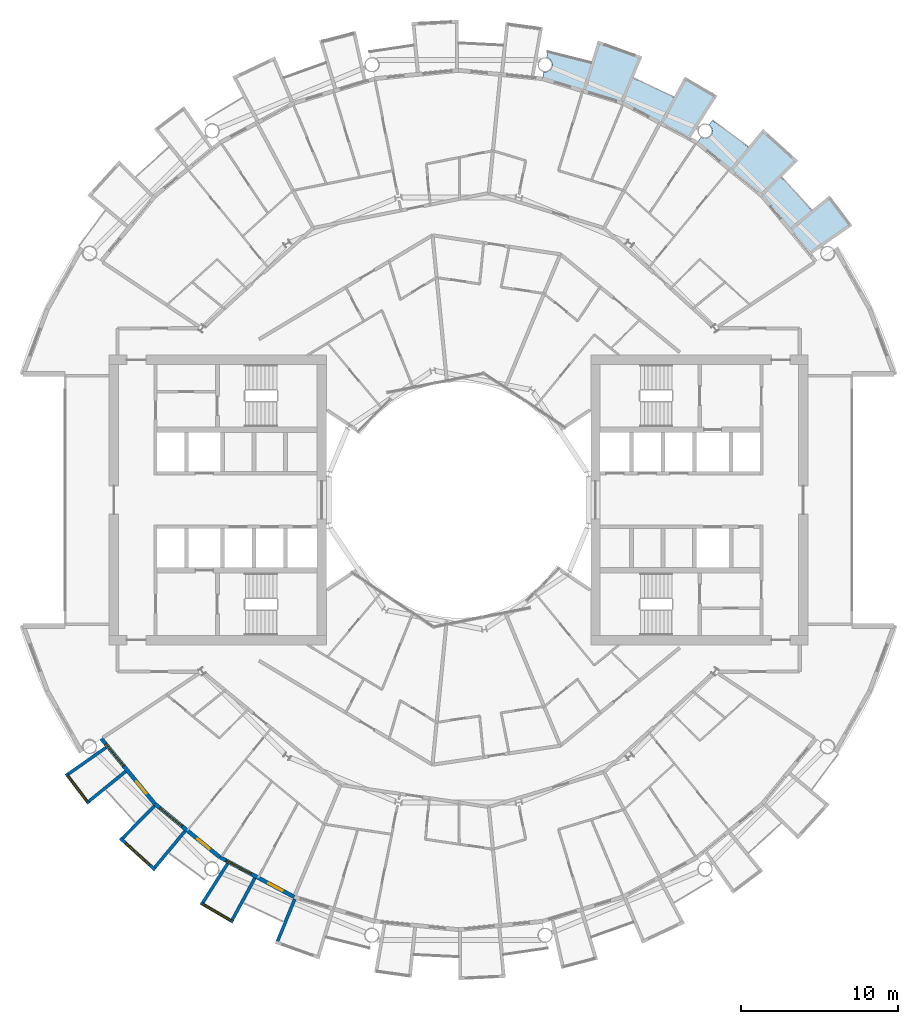
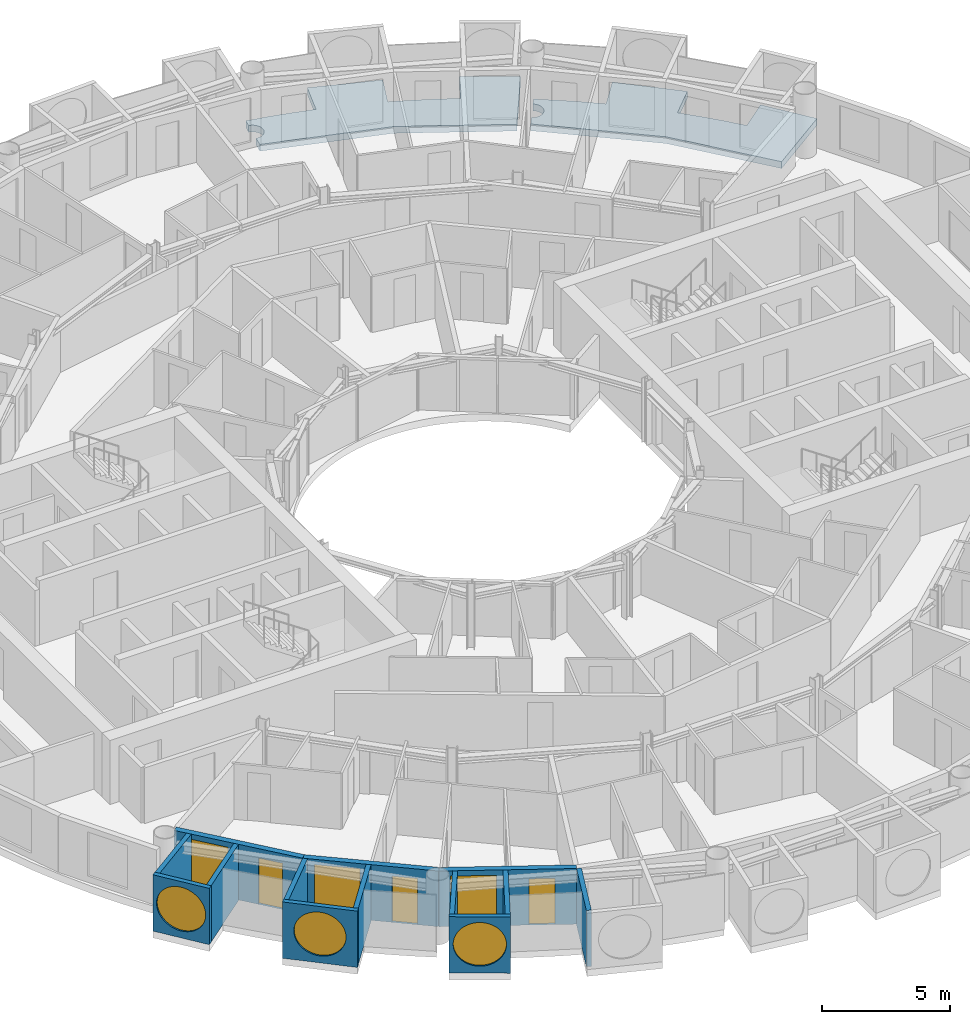
# One storey, part 13 of 27: 13 walls, 6 windows, 3 doors, 2 slabs, 9 openings.
"""IFC4 building model written with IfcOpenShell, lengths in metres."""

from ifc_helpers import new_model, si_unit, direction, frame, frame_2d, origin, place, context, subcontext, project, spatial, polyline, rectangle, circle, outline, extrude, material, layer, layer_set, type_object, element, fill, save


model = new_model("IFC4")

# Units and contexts
model_context = context("Model", 3, precision=1e-05, world=origin(), true_north=direction((0.0, 1.0)))
body_context = subcontext(model_context, "Body", "Model", "MODEL_VIEW")
ifc_project = project(units=[si_unit("LENGTHUNIT", "METRE"), si_unit("AREAUNIT", "SQUARE_METRE"), si_unit("VOLUMEUNIT", "CUBIC_METRE"), si_unit("PLANEANGLEUNIT", "RADIAN"), si_unit("MASSUNIT", "GRAM", prefix="KILO")], contexts=[model_context])

# Site, building, storey
site_placement = place(None, origin())
site = spatial("IfcSite", under=ifc_project, at=site_placement, CompositionType="ELEMENT")
building_placement = place(site_placement, origin())
building = spatial("IfcBuilding", under=site, at=building_placement, Name="Maasbend Ring Residences", CompositionType="ELEMENT")
storey_placement = place(building_placement, frame((0.0, 0.0, 136.050048828125)))
storey = spatial("IfcBuildingStorey", under=building, at=storey_placement, Name="L39", CompositionType="ELEMENT", Elevation=136.050048828125)

# Slabs
ifc_material_1 = material(Name="Concrete C40/50", Category="concrete")
ifc_layer_1 = layer(ifc_material_1, 0.199951171875)
ifc_layer_set_1 = layer_set([ifc_layer_1], Name="Concrete C40/50")
slab_type = type_object("IfcSlabType", Name="SL-LOGGIA", PredefinedType="FLOOR", material=ifc_layer_set_1)
slab_1_placement = place(storey_placement, frame((0.0, 0.0, -0.35009765625)))
element("IfcSlab", 1, at=slab_1_placement, inside=storey, type_object=slab_type, Name="Loggia floor 2", PredefinedType="FLOOR", context=body_context, shape_type="SweptSolid", body=[
    extrude(outline(polyline([(5.446044921875, 27.205078125), (5.45703125, 27.202880859375), (5.468017578125, 27.201904296875), (5.47900390625, 27.201904296875), (5.489990234375, 27.200927734375), (5.501953125, 27.200927734375), (5.512939453125, 27.200927734375), (5.52392578125, 27.201904296875), (5.534912109375, 27.201904296875), (5.5458984375, 27.202880859375), (5.556884765625, 27.205078125), (5.569091796875, 27.2060546875), (5.580078125, 27.2080078125), (5.591064453125, 27.2099609375), (5.60205078125, 27.2119140625), (5.613037109375, 27.215087890625), (5.623046875, 27.218017578125), (5.634033203125, 27.220947265625), (5.64501953125, 27.22412109375), (5.655029296875, 27.22802734375), (5.666015625, 27.23193359375), (5.676025390625, 27.236083984375), (5.68701171875, 27.239990234375), (5.697021484375, 27.2451171875), (5.70703125, 27.25), (5.717041015625, 27.2548828125), (5.72705078125, 27.260009765625), (5.736083984375, 27.26611328125), (5.74609375, 27.27197265625), (5.7548828125, 27.278076171875), (5.764892578125, 27.283935546875), (5.77392578125, 27.291015625), (5.782958984375, 27.298095703125), (5.791015625, 27.304931640625), (5.800048828125, 27.31201171875), (5.80810546875, 27.319091796875), (5.81689453125, 27.326904296875), (5.824951171875, 27.3349609375), (5.83203125, 27.343017578125), (5.840087890625, 27.35107421875), (5.847900390625, 27.360107421875), (5.85498046875, 27.367919921875), (5.862060546875, 27.376953125), (5.868896484375, 27.385986328125), (5.875, 27.39501953125), (5.881103515625, 27.404052734375), (5.887939453125, 27.4140625), (5.89306640625, 27.423095703125), (5.89892578125, 27.43310546875), (5.905029296875, 27.443115234375), (5.909912109375, 27.452880859375), (5.9150390625, 27.462890625), (5.9189453125, 27.472900390625), (5.924072265625, 27.48291015625), (5.927978515625, 27.493896484375), (5.931884765625, 27.50390625), (5.93505859375, 27.514892578125), (5.93896484375, 27.52490234375), (5.94189453125, 27.535888671875), (5.945068359375, 27.547119140625), (5.947021484375, 27.55810546875), (5.949951171875, 27.569091796875), (5.951904296875, 27.580078125), (5.9541015625, 27.591064453125), (5.955078125, 27.60205078125), (5.9560546875, 27.613037109375), (5.95703125, 27.6240234375), (5.9580078125, 27.635986328125), (5.9580078125, 27.64697265625), (5.9580078125, 27.657958984375), (5.9580078125, 27.6689453125), (5.9580078125, 27.680908203125), (5.95703125, 27.69189453125), (5.9560546875, 27.702880859375), (5.955078125, 27.714111328125), (5.9541015625, 27.72509765625), (5.951904296875, 27.736083984375), (5.949951171875, 27.7470703125), (5.947021484375, 27.758056640625), (5.945068359375, 27.76904296875), (5.94189453125, 27.780029296875), (5.93896484375, 27.791015625), (5.93505859375, 27.801025390625), (5.931884765625, 27.81201171875), (5.927978515625, 27.822998046875), (5.924072265625, 27.8330078125), (5.9189453125, 27.843017578125), (5.9150390625, 27.85302734375), (5.909912109375, 27.864013671875), (5.905029296875, 27.8740234375), (5.89892578125, 27.883056640625), (5.89306640625, 27.89306640625), (5.887939453125, 27.903076171875), (5.881103515625, 27.912109375), (5.875, 27.9208984375), (5.868896484375, 27.929931640625), (5.862060546875, 27.93896484375), (5.85498046875, 27.947998046875), (5.847900390625, 27.95703125), (5.840087890625, 27.965087890625), (5.83203125, 27.972900390625), (5.824951171875, 27.98095703125), (5.81689453125, 27.989013671875), (5.80810546875, 27.9970703125), (5.800048828125, 28.00390625), (5.791015625, 28.010986328125), (5.782958984375, 28.01806640625), (5.77392578125, 28.02490234375), (5.764892578125, 28.031982421875), (5.7548828125, 28.0380859375), (5.74609375, 28.0439453125), (5.736083984375, 28.050048828125), (5.72705078125, 28.055908203125), (5.717041015625, 28.06103515625), (5.70703125, 28.06591796875), (5.697021484375, 28.071044921875), (5.68701171875, 28.075927734375), (5.676025390625, 28.080078125), (5.666015625, 28.083984375), (5.655029296875, 28.087890625), (5.64501953125, 28.092041015625), (5.634033203125, 28.094970703125), (5.623046875, 28.09912109375), (5.613037109375, 28.10107421875), (5.60205078125, 28.10400390625), (5.591064453125, 28.10595703125), (5.657958984375, 28.443115234375), (5.657958984375, 28.443115234375), (5.657958984375, 28.443115234375), (6.5849609375, 28.241943359375), (6.5849609375, 28.241943359375), (7.506103515625, 28.011962890625), (7.506103515625, 28.011962890625), (8.41796875, 27.7509765625), (8.41796875, 27.7509765625), (8.41796875, 27.7509765625), (8.41796875, 27.7509765625), (8.41796875, 27.7509765625), (8.41796875, 27.7509765625), (8.41796875, 27.7509765625), (8.41796875, 27.7509765625), (8.41796875, 27.7509765625), (8.41796875, 27.7509765625), (8.41796875, 27.751953125), (8.41796875, 27.751953125), (8.41796875, 27.751953125), (8.41796875, 27.751953125), (8.41796875, 27.751953125), (8.41796875, 27.751953125), (8.41796875, 27.751953125), (8.85400390625, 29.18701171875), (8.85400390625, 29.18701171875), (8.85400390625, 29.18701171875), (11.672119140625, 28.177978515625), (11.672119140625, 28.177978515625), (11.672119140625, 28.177978515625), (11.097900390625, 26.79296875), (11.097900390625, 26.79296875), (11.097900390625, 26.79296875), (11.097900390625, 26.79296875), (11.097900390625, 26.79296875), (11.097900390625, 26.79296875), (11.097900390625, 26.79296875), (11.097900390625, 26.79296875), (11.097900390625, 26.79296875), (11.097900390625, 26.79296875), (11.097900390625, 26.7919921875), (11.097900390625, 26.7919921875), (11.097900390625, 26.7919921875), (11.097900390625, 26.7919921875), (11.097900390625, 26.7919921875), (11.097900390625, 26.7919921875), (11.097900390625, 26.7919921875), (11.968994140625, 26.4150390625), (11.968994140625, 26.4150390625), (12.825927734375, 26.009033203125), (12.825927734375, 26.009033203125), (13.669921875, 25.575927734375), (13.669921875, 25.575927734375), (13.669921875, 25.575927734375), (13.669921875, 25.575927734375), (13.669921875, 25.575927734375), (13.669921875, 25.575927734375), (13.669921875, 25.575927734375), (13.669921875, 25.575927734375), (13.669921875, 25.575927734375), (13.669921875, 25.575927734375), (13.6708984375, 25.575927734375), (13.6708984375, 25.575927734375), (13.6708984375, 25.575927734375), (13.6708984375, 25.575927734375), (13.6708984375, 25.575927734375), (13.6708984375, 25.575927734375), (13.6708984375, 25.575927734375), (14.3779296875, 26.89892578125), (14.3779296875, 26.89892578125), (14.3779296875, 26.89892578125), (16.44091796875, 25.68994140625), (16.44091796875, 25.68994140625), (16.44091796875, 25.68994140625), (14.68994140625, 22.9541015625), (14.68994140625, 22.9541015625), (14.68994140625, 22.9541015625), (12.806884765625, 23.9609375), (10.447021484375, 25.221923828125), (10.447021484375, 25.221923828125), (10.447021484375, 25.221923828125), (7.886962890625, 25.9990234375), (5.325927734375, 26.77490234375), (5.325927734375, 26.77490234375), (5.325927734375, 26.77490234375), (5.412109375, 27.2099609375), (5.423095703125, 27.2080078125), (5.43408203125, 27.2060546875), (5.446044921875, 27.205078125)])), origin(), (0.0, 0.0, 1.0), 0.320068359375),
])
slab_2_placement = place(storey_placement, frame((0.0, 0.0, -0.35009765625)))
element("IfcSlab", 2, at=slab_2_placement, inside=storey, type_object=slab_type, Name="Loggia floor 5", PredefinedType="FLOOR", context=body_context, shape_type="SweptSolid", body=[
    extrude(outline(polyline([(15.431884765625, 23.054931640625), (15.44189453125, 23.050048828125), (15.451904296875, 23.0439453125), (15.4619140625, 23.0390625), (15.471923828125, 23.033935546875), (15.48193359375, 23.030029296875), (15.491943359375, 23.02490234375), (15.5029296875, 23.02099609375), (15.512939453125, 23.01708984375), (15.52392578125, 23.012939453125), (15.533935546875, 23.010009765625), (15.544921875, 23.007080078125), (15.555908203125, 23.00390625), (15.56689453125, 23.001953125), (15.577880859375, 22.9990234375), (15.589111328125, 22.9970703125), (15.60009765625, 22.9951171875), (15.611083984375, 22.993896484375), (15.6220703125, 22.992919921875), (15.633056640625, 22.991943359375), (15.64501953125, 22.990966796875), (15.656005859375, 22.990966796875), (15.6669921875, 22.989990234375), (15.677978515625, 22.990966796875), (15.68994140625, 22.990966796875), (15.700927734375, 22.991943359375), (15.7119140625, 22.992919921875), (15.722900390625, 22.993896484375), (15.73388671875, 22.9951171875), (15.7451171875, 22.9970703125), (15.756103515625, 22.9990234375), (15.76708984375, 23.001953125), (15.778076171875, 23.00390625), (15.7890625, 23.007080078125), (15.800048828125, 23.010009765625), (15.81005859375, 23.012939453125), (15.821044921875, 23.01708984375), (15.83203125, 23.02099609375), (15.842041015625, 23.02490234375), (15.85205078125, 23.030029296875), (15.862060546875, 23.033935546875), (15.873046875, 23.0390625), (15.883056640625, 23.0439453125), (15.89208984375, 23.050048828125), (15.902099609375, 23.054931640625), (15.912109375, 23.06103515625), (15.9208984375, 23.06689453125), (15.929931640625, 23.073974609375), (15.93896484375, 23.080078125), (15.947998046875, 23.0869140625), (15.95703125, 23.093994140625), (15.966064453125, 23.10107421875), (15.97412109375, 23.10888671875), (15.98193359375, 23.115966796875), (15.989990234375, 23.1240234375), (15.998046875, 23.132080078125), (16.006103515625, 23.139892578125), (16.012939453125, 23.14892578125), (16.02001953125, 23.156982421875), (16.027099609375, 23.166015625), (16.033935546875, 23.175048828125), (16.041015625, 23.18408203125), (16.047119140625, 23.194091796875), (16.052978515625, 23.202880859375), (16.05908203125, 23.2119140625), (16.06494140625, 23.221923828125), (16.070068359375, 23.23193359375), (16.074951171875, 23.241943359375), (16.080078125, 23.251953125), (16.0849609375, 23.261962890625), (16.089111328125, 23.27294921875), (16.093017578125, 23.282958984375), (16.096923828125, 23.29296875), (16.10107421875, 23.303955078125), (16.10400390625, 23.31494140625), (16.10791015625, 23.325927734375), (16.110107421875, 23.3359375), (16.113037109375, 23.346923828125), (16.114990234375, 23.35791015625), (16.116943359375, 23.368896484375), (16.118896484375, 23.3798828125), (16.12109375, 23.39111328125), (16.1220703125, 23.403076171875), (16.123046875, 23.4140625), (16.1240234375, 23.425048828125), (16.1240234375, 23.43603515625), (16.1240234375, 23.447021484375), (16.1240234375, 23.458984375), (16.1240234375, 23.469970703125), (16.123046875, 23.48095703125), (16.1220703125, 23.491943359375), (16.12109375, 23.5029296875), (16.118896484375, 23.513916015625), (16.116943359375, 23.52587890625), (16.114990234375, 23.537109375), (16.113037109375, 23.548095703125), (16.110107421875, 23.55810546875), (16.10791015625, 23.569091796875), (16.10400390625, 23.580078125), (16.10107421875, 23.591064453125), (16.096923828125, 23.60107421875), (16.093017578125, 23.612060546875), (16.089111328125, 23.6220703125), (16.0849609375, 23.633056640625), (16.080078125, 23.64306640625), (16.074951171875, 23.653076171875), (16.070068359375, 23.6630859375), (16.06494140625, 23.673095703125), (16.05908203125, 23.681884765625), (16.052978515625, 23.69189453125), (16.047119140625, 23.700927734375), (16.041015625, 23.7109375), (16.033935546875, 23.719970703125), (16.027099609375, 23.72900390625), (16.02001953125, 23.737060546875), (16.012939453125, 23.74609375), (16.006103515625, 23.75390625), (15.998046875, 23.762939453125), (15.989990234375, 23.77099609375), (15.98193359375, 23.778076171875), (15.97412109375, 23.785888671875), (15.966064453125, 23.79296875), (15.95703125, 23.801025390625), (15.947998046875, 23.80810546875), (15.93896484375, 23.81396484375), (15.929931640625, 23.821044921875), (15.9208984375, 23.826904296875), (15.9208984375, 23.826904296875), (16.112060546875, 24.113037109375), (16.112060546875, 24.113037109375), (16.112060546875, 24.113037109375), (16.89208984375, 23.572998046875), (16.89208984375, 23.572998046875), (17.654052734375, 23.007080078125), (17.654052734375, 23.007080078125), (18.39697265625, 22.41796875), (18.39697265625, 22.41796875), (18.39697265625, 22.41796875), (18.39697265625, 22.41796875), (18.39697265625, 22.41796875), (18.39697265625, 22.41796875), (18.39697265625, 22.41796875), (18.39697265625, 22.41796875), (18.39697265625, 22.41796875), (18.39697265625, 22.41796875), (18.39697265625, 22.41796875), (18.39794921875, 22.41796875), (18.39794921875, 22.41796875), (18.39794921875, 22.41796875), (18.39794921875, 22.41796875), (18.39794921875, 22.41796875), (18.39794921875, 22.41796875), (19.34912109375, 23.576904296875), (19.34912109375, 23.576904296875), (19.34912109375, 23.576904296875), (21.56689453125, 21.56689453125), (21.56689453125, 21.56689453125), (21.56689453125, 21.56689453125), (20.506103515625, 20.506103515625), (20.506103515625, 20.506103515625), (20.506103515625, 20.506103515625), (20.506103515625, 20.506103515625), (20.506103515625, 20.506103515625), (20.506103515625, 20.506103515625), (20.506103515625, 20.506103515625), (20.506103515625, 20.506103515625), (20.506103515625, 20.506103515625), (20.506103515625, 20.506103515625), (20.506103515625, 20.506103515625), (20.506103515625, 20.506103515625), (20.506103515625, 20.506103515625), (20.506103515625, 20.506103515625), (20.506103515625, 20.506103515625), (20.506103515625, 20.506103515625), (20.506103515625, 20.506103515625), (21.166015625, 19.823974609375), (21.166015625, 19.823974609375), (21.802978515625, 19.12109375), (21.802978515625, 19.12109375), (22.4169921875, 18.39794921875), (22.4169921875, 18.39794921875), (22.4169921875, 18.39794921875), (22.4169921875, 18.39794921875), (22.4169921875, 18.39794921875), (22.4169921875, 18.39794921875), (22.4169921875, 18.39794921875), (22.4169921875, 18.39794921875), (22.4169921875, 18.39794921875), (22.4169921875, 18.39794921875), (22.4169921875, 18.39794921875), (22.4169921875, 18.39794921875), (22.41796875, 18.39794921875), (22.41796875, 18.39794921875), (22.41796875, 18.39794921875), (22.41796875, 18.39794921875), (22.41796875, 18.39794921875), (23.576904296875, 19.34912109375), (23.576904296875, 19.34912109375), (23.576904296875, 19.34912109375), (25.02001953125, 17.44189453125), (25.02001953125, 17.44189453125), (25.02001953125, 17.44189453125), (22.35595703125, 15.5849609375), (22.35595703125, 15.5849609375), (22.35595703125, 15.5849609375), (21.001953125, 17.236083984375), (19.303955078125, 19.303955078125), (19.303955078125, 19.303955078125), (19.303955078125, 19.303955078125), (17.236083984375, 21.001953125), (15.1669921875, 22.698974609375), (15.1669921875, 22.698974609375), (15.1669921875, 22.698974609375), (15.4130859375, 23.06689453125), (15.4130859375, 23.06689453125), (15.423095703125, 23.06103515625), (15.431884765625, 23.054931640625)])), origin(), (0.0, 0.0, 1.0), 0.320068359375),
])

# Wall, opening, window
ifc_material_2 = material(Name="Pale anodised aluminium panel", Category="aluminium")
ifc_layer_2 = layer(ifc_material_2, 0.199951171875)
ifc_layer_set_2 = layer_set([ifc_layer_2], Name="EW-BOX")
wall_type_1 = type_object("IfcWallType", Name="EW-BOX", PredefinedType="SOLIDWALL", material=ifc_layer_set_2)
wall_1_placement = place(storey_placement, frame((-24.93994140625, -17.382080078125, -0.030029296875), z_axis=(0.0, 0.0, 1.0), x_axis=(0.603375996329, -0.797456837111, 0.0)))
wall_1 = element("IfcWall", 3, at=wall_1_placement, inside=storey, type_object=wall_type_1, Name="Box front S01", PredefinedType="SOLIDWALL", context=body_context, shape_type="SweptSolid", body=[
    extrude(rectangle(XDim=2.391357421875, YDim=0.199951171875, at=frame_2d((1.19580078125, 0.0))), origin(), (0.0, 0.0, 1.0), 2.679931640625),
])
opening_1_placement = place(wall_1_placement, frame((0.15576171875, 0.0, 0.330078125)))
opening_1 = element("IfcOpeningElement", 4, at=opening_1_placement, cuts=wall_1, Name="Opening W-RD", PredefinedType="OPENING", context=body_context, shape_type="SweptSolid", body=[
    extrude(circle(Radius=1.0400390625, at=frame_2d((1.0400390625, 1.0400390625))), frame((0.0, 0.10986328125, 0.0), z_axis=(0.0, -1.0, 0.0), x_axis=(1.0, 0.0, 0.0)), (0.0, 0.0, 1.0), 0.219970703125),
])
ifc_material_3 = material(Name="Aluminium and clear glass", Category="aluminium")
window_type_1 = type_object("IfcWindowType", Name="W-RD", PartitioningType="SINGLE_PANEL", PredefinedType="WINDOW", material=ifc_material_3)
window_1_placement = place(opening_1_placement, origin())
window_1 = element("IfcWindow", 5, at=window_1_placement, inside=storey, type_object=window_type_1, Name="Round window S01", OverallHeight=2.080078125, OverallWidth=2.080078125, PartitioningType="SINGLE_PANEL", PredefinedType="WINDOW", context=body_context, shape_type="SweptSolid", body=[
    extrude(circle(Radius=1.0400390625, at=frame_2d((1.0400390625, 1.0400390625))), frame((0.0, 0.030029296875, 0.0), z_axis=(0.0, -1.0, 0.0), x_axis=(1.0, 0.0, 0.0)), (0.0, 0.0, 1.0), 0.06005859375),
])
fill(opening_1, window_1)

# Walls
wall_2_placement = place(storey_placement, frame((-22.402099609375, -15.72607421875, -0.030029296875), z_axis=(0.0, 0.0, 1.0), x_axis=(-0.818275399393, -0.574826383135, 0.0)))
element("IfcWall", 6, at=wall_2_placement, inside=storey, type_object=wall_type_1, Name="Box side wall S01 left", PredefinedType="SOLIDWALL", context=body_context, shape_type="SweptSolid", body=[
    extrude(rectangle(XDim=2.92919921875, YDim=0.199951171875, at=frame_2d((1.464599609375, 0.0))), origin(), (0.0, 0.0, 1.0), 2.679931640625),
])
wall_3_placement = place(storey_placement, frame((-21.155029296875, -17.24609375, -0.030029296875), z_axis=(0.0, 0.0, 1.0), x_axis=(-0.775179004516, -0.631741648902, 0.0)))
element("IfcWall", 7, at=wall_3_placement, inside=storey, type_object=wall_type_1, Name="Box side wall S01 right", PredefinedType="SOLIDWALL", context=body_context, shape_type="SweptSolid", body=[
    extrude(rectangle(XDim=3.005859375, YDim=0.199951171875, at=frame_2d((1.5029296875, 0.0))), origin(), (0.0, 0.0, 1.0), 2.679931640625),
])

# Wall, opening, window
wall_4_placement = place(storey_placement, frame((-21.5, -21.492919921875, -0.030029296875), z_axis=(0.0, 0.0, 1.0), x_axis=(0.740998365753, -0.671506829416, 0.0)))
wall_4 = element("IfcWall", 8, at=wall_4_placement, inside=storey, type_object=wall_type_1, Name="Box front S03", PredefinedType="SOLIDWALL", context=body_context, shape_type="SweptSolid", body=[
    extrude(rectangle(XDim=2.9931640625, YDim=0.199951171875, at=frame_2d((1.49658203125, 0.0))), origin(), (0.0, 0.0, 1.0), 2.679931640625),
])
opening_2_placement = place(wall_4_placement, frame((0.45654296875, 0.0, 0.330078125)))
opening_2 = element("IfcOpeningElement", 9, at=opening_2_placement, cuts=wall_4, Name="Opening W-RD", PredefinedType="OPENING", context=body_context, shape_type="SweptSolid", body=[
    extrude(circle(Radius=1.0400390625, at=frame_2d((1.0400390625, 1.0400390625))), frame((0.0, 0.10986328125, 0.0), z_axis=(0.0, -1.0, 0.0), x_axis=(1.0, 0.0, 0.0)), (0.0, 0.0, 1.0), 0.219970703125),
])
window_2_placement = place(opening_2_placement, origin())
window_2 = element("IfcWindow", 10, at=window_2_placement, inside=storey, type_object=window_type_1, Name="Round window S03", OverallHeight=2.080078125, OverallWidth=2.080078125, PartitioningType="SINGLE_PANEL", PredefinedType="WINDOW", context=body_context, shape_type="SweptSolid", body=[
    extrude(circle(Radius=1.0400390625, at=frame_2d((1.0400390625, 1.0400390625))), frame((0.0, 0.030029296875, 0.0), z_axis=(0.0, -1.0, 0.0), x_axis=(1.0, 0.0, 0.0)), (0.0, 0.0, 1.0), 0.06005859375),
])
fill(opening_2, window_2)

# Walls
wall_5_placement = place(storey_placement, frame((-19.322998046875, -19.449951171875, -0.030029296875), z_axis=(0.0, 0.0, 1.0), x_axis=(-0.704476739375, -0.709727076896, 0.0)))
element("IfcWall", 11, at=wall_5_placement, inside=storey, type_object=wall_type_1, Name="Box side wall S03 left", PredefinedType="SOLIDWALL", context=body_context, shape_type="SweptSolid", body=[
    extrude(rectangle(XDim=2.883056640625, YDim=0.199951171875, at=frame_2d((1.44140625, 0.0))), origin(), (0.0, 0.0, 1.0), 2.679931640625),
])
wall_6_placement = place(storey_placement, frame((-17.384033203125, -21.041015625, -0.030029296875), z_axis=(0.0, 0.0, 1.0), x_axis=(-0.63709551667, -0.770784861449, 0.0)))
element("IfcWall", 12, at=wall_6_placement, inside=storey, type_object=wall_type_1, Name="Box side wall S03 right", PredefinedType="SOLIDWALL", context=body_context, shape_type="SweptSolid", body=[
    extrude(rectangle(XDim=3.005859375, YDim=0.199951171875, at=frame_2d((1.5029296875, 0.0))), origin(), (0.0, 0.0, 1.0), 2.679931640625),
])

# Wall, opening, window
wall_7_placement = place(storey_placement, frame((-16.389892578125, -25.60302734375, -0.030029296875), z_axis=(0.0, 0.0, 1.0), x_axis=(0.862762477128, -0.505609442218, 0.0)))
wall_7 = element("IfcWall", 13, at=wall_7_placement, inside=storey, type_object=wall_type_1, Name="Box front S05", PredefinedType="SOLIDWALL", context=body_context, shape_type="SweptSolid", body=[
    extrude(rectangle(XDim=2.39111328125, YDim=0.199951171875, at=frame_2d((1.195556640625, 0.0))), origin(), (0.0, 0.0, 1.0), 2.679931640625),
])
opening_3_placement = place(wall_7_placement, frame((0.15576171875, 0.0, 0.330078125)))
opening_3 = element("IfcOpeningElement", 14, at=opening_3_placement, cuts=wall_7, Name="Opening W-RD", PredefinedType="OPENING", context=body_context, shape_type="SweptSolid", body=[
    extrude(circle(Radius=1.0400390625, at=frame_2d((1.0400390625, 1.0400390625))), frame((0.0, 0.10986328125, 0.0), z_axis=(0.0, -1.0, 0.0), x_axis=(1.0, 0.0, 0.0)), (0.0, 0.0, 1.0), 0.219970703125),
])
window_3_placement = place(opening_3_placement, origin())
window_3 = element("IfcWindow", 15, at=window_3_placement, inside=storey, type_object=window_type_1, Name="Round window S05", OverallHeight=2.080078125, OverallWidth=2.080078125, PartitioningType="SINGLE_PANEL", PredefinedType="WINDOW", context=body_context, shape_type="SweptSolid", body=[
    extrude(circle(Radius=1.0400390625, at=frame_2d((1.0400390625, 1.0400390625))), frame((0.0, 0.030029296875, 0.0), z_axis=(0.0, -1.0, 0.0), x_axis=(1.0, 0.0, 0.0)), (0.0, 0.0, 1.0), 0.06005859375),
])
fill(opening_3, window_3)

# Walls
wall_8_placement = place(storey_placement, frame((-14.677978515625, -23.10205078125, -0.030029296875), z_axis=(0.0, 0.0, 1.0), x_axis=(-0.536001536573, -0.844217005746, 0.0)))
element("IfcWall", 16, at=wall_8_placement, inside=storey, type_object=wall_type_1, Name="Box side wall S05 left", PredefinedType="SOLIDWALL", context=body_context, shape_type="SweptSolid", body=[
    extrude(rectangle(XDim=2.92919921875, YDim=0.199951171875, at=frame_2d((1.464599609375, 0.0))), origin(), (0.0, 0.0, 1.0), 2.679931640625),
])
wall_9_placement = place(storey_placement, frame((-12.945068359375, -24.029052734375, -0.030029296875), z_axis=(0.0, 0.0, 1.0), x_axis=(-0.474424310775, -0.88029629861, 0.0)))
element("IfcWall", 17, at=wall_9_placement, inside=storey, type_object=wall_type_1, Name="Box side wall S05 right", PredefinedType="SOLIDWALL", context=body_context, shape_type="SweptSolid", body=[
    extrude(rectangle(XDim=3.005859375, YDim=0.199951171875, at=frame_2d((1.5029296875, 0.0))), origin(), (0.0, 0.0, 1.0), 2.679931640625),
])
wall_10_placement = place(storey_placement, frame((-10.408935546875, -25.364013671875, -0.030029296875), z_axis=(0.0, 0.0, 1.0), x_axis=(-0.379509886562, -0.925187681501, 0.0)))
element("IfcWall", 18, at=wall_10_placement, inside=storey, type_object=wall_type_1, Name="Box side wall S07 left", PredefinedType="SOLIDWALL", context=body_context, shape_type="SweptSolid", body=[
    extrude(rectangle(XDim=2.882568359375, YDim=0.199951171875, at=frame_2d((1.44140625, 0.0))), origin(), (0.0, 0.0, 1.0), 2.679931640625),
])

# Wall, openings, door, window
ifc_material_4 = material(Name="Aluminium clad insulated panel", Category="aluminium")
ifc_layer_3 = layer(ifc_material_4, 0.25)
ifc_layer_set_3 = layer_set([ifc_layer_3], Name="EW-GL")
wall_type_2 = type_object("IfcWallType", Name="EW-GL", PredefinedType="SOLIDWALL", material=ifc_layer_set_3)
wall_11_placement = place(storey_placement, frame((-22.698974609375, -15.1669921875, 0.0), z_axis=(0.0, 0.0, 1.0), x_axis=(0.634382322723, -0.773019449054, 0.0)))
wall_11 = element("IfcWall", 19, at=wall_11_placement, inside=storey, type_object=wall_type_2, Name="External wall S01", PredefinedType="SOLIDWALL", context=body_context, shape_type="SweptSolid", body=[
    extrude(rectangle(XDim=5.351806640625, YDim=0.25, at=frame_2d((2.67578125, 0.0))), origin(), (0.0, 0.0, 1.0), 2.64990234375),
])
opening_4_placement = place(wall_11_placement, frame((0.441162109375, 0.0, 0.300048828125)))
opening_4 = element("IfcOpeningElement", 20, at=opening_4_placement, cuts=wall_11, Name="Opening W-BX", PredefinedType="OPENING", context=body_context, shape_type="SweptSolid", body=[
    extrude(rectangle(XDim=1.800048828125, YDim=2.10009765625, at=frame_2d((0.89990234375, 1.050048828125))), frame((0.0, 0.135009765625, 0.0), z_axis=(0.0, -1.0, 0.0), x_axis=(1.0, 0.0, 0.0)), (0.0, 0.0, 1.0), 0.27001953125),
])
opening_5_placement = place(wall_11_placement, frame((3.510498046875, 0.0, 0.0)))
opening_5 = element("IfcOpeningElement", 21, at=opening_5_placement, cuts=wall_11, Name="Opening D-LG", PredefinedType="OPENING", context=body_context, shape_type="SweptSolid", body=[
    extrude(rectangle(XDim=1.0, YDim=2.199951171875, at=frame_2d((0.5, 1.10009765625))), frame((0.0, 0.135009765625, 0.0), z_axis=(0.0, -1.0, 0.0), x_axis=(1.0, 0.0, 0.0)), (0.0, 0.0, 1.0), 0.27001953125),
])
ifc_material_5 = material(Name="Aluminium and clear glass", Category="aluminium")
door_type = type_object("IfcDoorType", Name="D-LG", OperationType="SINGLE_SWING_LEFT", PredefinedType="DOOR", material=ifc_material_5)
door_1_placement = place(opening_5_placement, origin())
door_1 = element("IfcDoor", 22, at=door_1_placement, inside=storey, type_object=door_type, Name="Loggia door S02", OperationType="SINGLE_SWING_LEFT", OverallHeight=2.199951171875, OverallWidth=1.0, PredefinedType="DOOR", context=body_context, shape_type="SweptSolid", body=[
    extrude(rectangle(XDim=1.0, YDim=2.199951171875, at=frame_2d((0.5, 1.10009765625))), frame((0.0, 0.02490234375, 0.0), z_axis=(0.0, -1.0, 0.0), x_axis=(1.0, 0.0, 0.0)), (0.0, 0.0, 1.0), 0.050048828125),
])
fill(opening_5, door_1)
ifc_material_6 = material(Name="Aluminium and clear glass", Category="aluminium")
window_type_2 = type_object("IfcWindowType", Name="W-BX", PartitioningType="DOUBLE_PANEL_VERTICAL", PredefinedType="WINDOW", material=ifc_material_6)
window_4_placement = place(opening_4_placement, origin())
window_4 = element("IfcWindow", 23, at=window_4_placement, inside=storey, type_object=window_type_2, Name="Window S01 room to box", OverallHeight=2.10009765625, OverallWidth=1.800048828125, PartitioningType="SINGLE_PANEL", PredefinedType="WINDOW", context=body_context, shape_type="SweptSolid", body=[
    extrude(rectangle(XDim=1.800048828125, YDim=2.10009765625, at=frame_2d((0.89990234375, 1.050048828125))), frame((0.0, 0.030029296875, 0.0), z_axis=(0.0, -1.0, 0.0), x_axis=(1.0, 0.0, 0.0)), (0.0, 0.0, 1.0), 0.06005859375),
])
fill(opening_4, window_4)

wall_12_placement = place(storey_placement, frame((-19.303955078125, -19.303955078125, 0.0), z_axis=(0.0, 0.0, 1.0), x_axis=(0.773019449054, -0.634382322723, 0.0)))
wall_12 = element("IfcWall", 24, at=wall_12_placement, inside=storey, type_object=wall_type_2, Name="External wall S02", PredefinedType="SOLIDWALL", context=body_context, shape_type="SweptSolid", body=[
    extrude(rectangle(XDim=5.351806640625, YDim=0.25, at=frame_2d((2.67578125, 0.0))), origin(), (0.0, 0.0, 1.0), 2.64990234375),
])
opening_6_placement = place(wall_12_placement, frame((0.441162109375, 0.0, 0.300048828125)))
opening_6 = element("IfcOpeningElement", 25, at=opening_6_placement, cuts=wall_12, Name="Opening W-BX", PredefinedType="OPENING", context=body_context, shape_type="SweptSolid", body=[
    extrude(rectangle(XDim=1.800048828125, YDim=2.10009765625, at=frame_2d((0.89990234375, 1.050048828125))), frame((0.0, 0.135009765625, 0.0), z_axis=(0.0, -1.0, 0.0), x_axis=(1.0, 0.0, 0.0)), (0.0, 0.0, 1.0), 0.27001953125),
])
opening_7_placement = place(wall_12_placement, frame((3.510498046875, 0.0, 0.0)))
opening_7 = element("IfcOpeningElement", 26, at=opening_7_placement, cuts=wall_12, Name="Opening D-LG", PredefinedType="OPENING", context=body_context, shape_type="SweptSolid", body=[
    extrude(rectangle(XDim=1.0, YDim=2.199951171875, at=frame_2d((0.5, 1.10009765625))), frame((0.0, 0.135009765625, 0.0), z_axis=(0.0, -1.0, 0.0), x_axis=(1.0, 0.0, 0.0)), (0.0, 0.0, 1.0), 0.27001953125),
])
door_2_placement = place(opening_7_placement, origin())
door_2 = element("IfcDoor", 27, at=door_2_placement, inside=storey, type_object=door_type, Name="Loggia door S04", OperationType="SINGLE_SWING_LEFT", OverallHeight=2.199951171875, OverallWidth=1.0, PredefinedType="DOOR", context=body_context, shape_type="SweptSolid", body=[
    extrude(rectangle(XDim=1.0, YDim=2.199951171875, at=frame_2d((0.5, 1.10009765625))), frame((0.0, 0.02490234375, 0.0), z_axis=(0.0, -1.0, 0.0), x_axis=(1.0, 0.0, 0.0)), (0.0, 0.0, 1.0), 0.050048828125),
])
fill(opening_7, door_2)
window_5_placement = place(opening_6_placement, origin())
window_5 = element("IfcWindow", 28, at=window_5_placement, inside=storey, type_object=window_type_2, Name="Window S03 room to box", OverallHeight=2.10009765625, OverallWidth=1.800048828125, PartitioningType="SINGLE_PANEL", PredefinedType="WINDOW", context=body_context, shape_type="SweptSolid", body=[
    extrude(rectangle(XDim=1.800048828125, YDim=2.10009765625, at=frame_2d((0.89990234375, 1.050048828125))), frame((0.0, 0.030029296875, 0.0), z_axis=(0.0, -1.0, 0.0), x_axis=(1.0, 0.0, 0.0)), (0.0, 0.0, 1.0), 0.06005859375),
])
fill(opening_6, window_5)

wall_13_placement = place(storey_placement, frame((-15.1669921875, -22.698974609375, 0.0), z_axis=(0.0, 0.0, 1.0), x_axis=(0.881915646801, -0.471407246368, 0.0)))
wall_13 = element("IfcWall", 29, at=wall_13_placement, inside=storey, type_object=wall_type_2, Name="External wall S03", PredefinedType="SOLIDWALL", context=body_context, shape_type="SweptSolid", body=[
    extrude(rectangle(XDim=5.35205078125, YDim=0.25, at=frame_2d((2.676025390625, 0.0))), origin(), (0.0, 0.0, 1.0), 2.64990234375),
])
opening_8_placement = place(wall_13_placement, frame((0.441162109375, 0.0, 0.300048828125)))
opening_8 = element("IfcOpeningElement", 30, at=opening_8_placement, cuts=wall_13, Name="Opening W-BX", PredefinedType="OPENING", context=body_context, shape_type="SweptSolid", body=[
    extrude(rectangle(XDim=1.800048828125, YDim=2.10009765625, at=frame_2d((0.89990234375, 1.050048828125))), frame((0.0, 0.135009765625, 0.0), z_axis=(0.0, -1.0, 0.0), x_axis=(1.0, 0.0, 0.0)), (0.0, 0.0, 1.0), 0.27001953125),
])
opening_9_placement = place(wall_13_placement, frame((3.510498046875, 0.0, 0.0)))
opening_9 = element("IfcOpeningElement", 31, at=opening_9_placement, cuts=wall_13, Name="Opening D-LG", PredefinedType="OPENING", context=body_context, shape_type="SweptSolid", body=[
    extrude(rectangle(XDim=1.0, YDim=2.199951171875, at=frame_2d((0.5, 1.10009765625))), frame((0.0, 0.135009765625, 0.0), z_axis=(0.0, -1.0, 0.0), x_axis=(1.0, 0.0, 0.0)), (0.0, 0.0, 1.0), 0.27001953125),
])
door_3_placement = place(opening_9_placement, origin())
door_3 = element("IfcDoor", 32, at=door_3_placement, inside=storey, type_object=door_type, Name="Loggia door S06", OperationType="SINGLE_SWING_LEFT", OverallHeight=2.199951171875, OverallWidth=1.0, PredefinedType="DOOR", context=body_context, shape_type="SweptSolid", body=[
    extrude(rectangle(XDim=1.0, YDim=2.199951171875, at=frame_2d((0.5, 1.10009765625))), frame((0.0, 0.02490234375, 0.0), z_axis=(0.0, -1.0, 0.0), x_axis=(1.0, 0.0, 0.0)), (0.0, 0.0, 1.0), 0.050048828125),
])
fill(opening_9, door_3)
window_6_placement = place(opening_8_placement, origin())
window_6 = element("IfcWindow", 33, at=window_6_placement, inside=storey, type_object=window_type_2, Name="Window S05 room to box", OverallHeight=2.10009765625, OverallWidth=1.800048828125, PartitioningType="SINGLE_PANEL", PredefinedType="WINDOW", context=body_context, shape_type="SweptSolid", body=[
    extrude(rectangle(XDim=1.800048828125, YDim=2.10009765625, at=frame_2d((0.89990234375, 1.050048828125))), frame((0.0, 0.030029296875, 0.0), z_axis=(0.0, -1.0, 0.0), x_axis=(1.0, 0.0, 0.0)), (0.0, 0.0, 1.0), 0.06005859375),
])
fill(opening_8, window_6)

save(model, "model.ifc")
